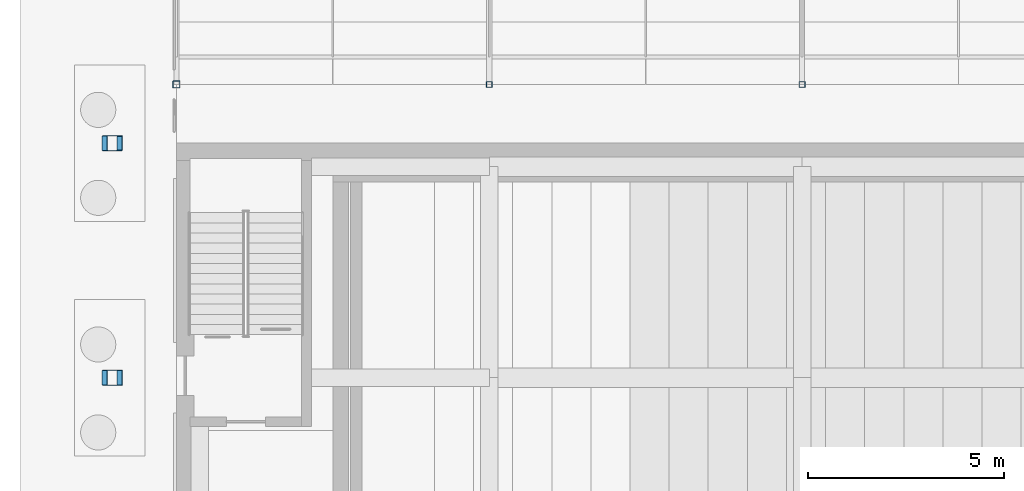
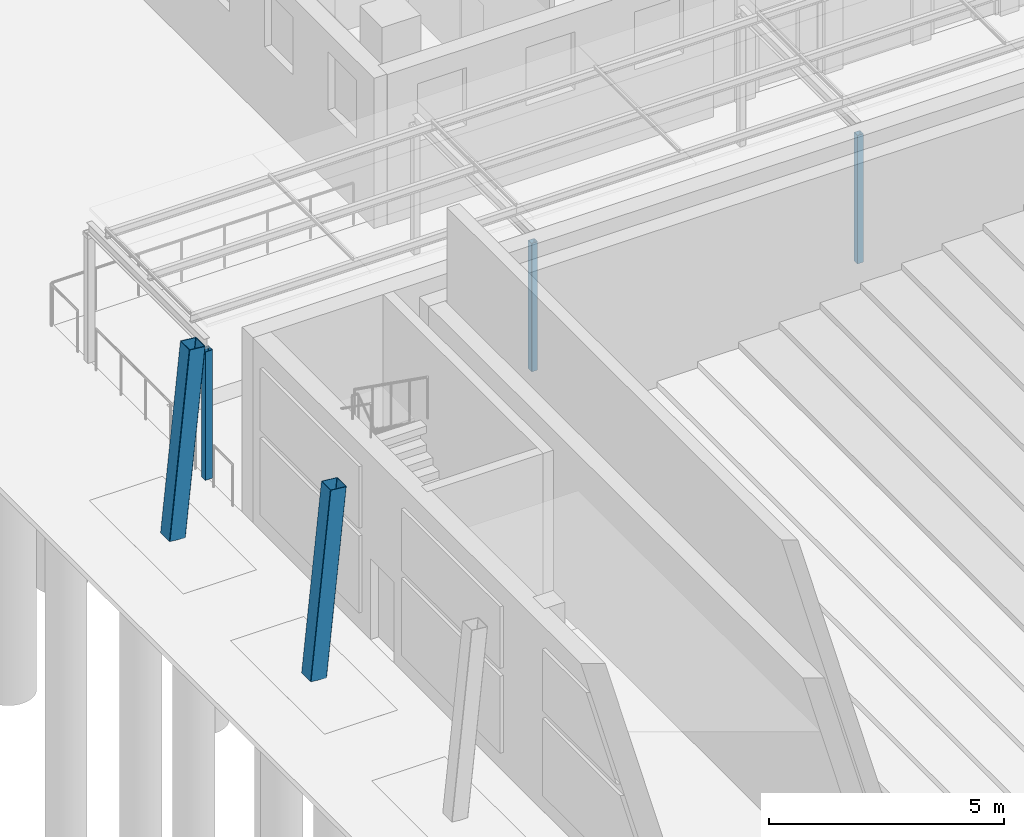
# One storey, part 5 of 144: 5 columns.
"""IFC4 building model written with IfcOpenShell, lengths in metres."""

from ifc_helpers import new_model, si_unit, direction, frame, origin, origin_2d, place, context, subcontext, project, spatial, hollow_rectangle, extrude, material, material_profile, profile_set, type_object, element, save


model = new_model("IFC4")

# Units and contexts
model_context = context("Model", 3, precision=1e-05, world=origin(), true_north=direction((0.0, 1.0)))
body_context = subcontext(model_context, "Body", "Model", "MODEL_VIEW")
ifc_project = project(units=[si_unit("LENGTHUNIT", "METRE"), si_unit("AREAUNIT", "SQUARE_METRE"), si_unit("VOLUMEUNIT", "CUBIC_METRE"), si_unit("PLANEANGLEUNIT", "RADIAN"), si_unit("MASSUNIT", "GRAM", prefix="KILO")], contexts=[model_context])

# Site, building, storey
site_placement = place(None, origin())
site = spatial("IfcSite", under=ifc_project, at=site_placement, CompositionType="ELEMENT")
building_placement = place(site_placement, origin())
building = spatial("IfcBuilding", under=site, at=building_placement, Name="Lantern Court Media Centre", CompositionType="ELEMENT")
storey_placement = place(building_placement, origin())
storey = spatial("IfcBuildingStorey", under=building, at=storey_placement, Name="L00", CompositionType="ELEMENT", Elevation=0.0)

# Columns
ifc_material = material(Name="Steel S355J2 (EN 10025-2)", Category="steel")
ifc_material_profile_1 = material_profile(ifc_material, hollow_rectangle(XDim=0.39990234375, YDim=0.39990234375, WallThickness=0.012451171875, InnerFilletRadius=0.012451171875, OuterFilletRadius=0.018798828125, at=origin_2d()), Name="Cinema Hall buttress column SHS 400x12.5")
ifc_profile_set_1 = profile_set([ifc_material_profile_1], Name="Steel S355J2 (EN 10025-2)")
column_type_1 = type_object("IfcColumnType", Name="Cinema Hall buttress column SHS 400x12.5", PredefinedType="COLUMN", material=ifc_profile_set_1)
column_1_placement = place(storey_placement, frame((-1.699951171875, 34.0, 0.0), z_axis=(0.100901453218, 0.0, 0.994896425131), x_axis=(0.0, 1.0, 0.0)))
element("IfcColumn", 1, at=column_1_placement, inside=storey, type_object=column_type_1, Name="Cinema Hall buttress west 7", PredefinedType="COLUMN", context=body_context, shape_type="SweptSolid", body=[
    extrude(hollow_rectangle(XDim=0.39990234375, YDim=0.39990234375, WallThickness=0.012451171875, InnerFilletRadius=0.012451171875, OuterFilletRadius=0.018798828125, at=origin_2d()), origin(), (0.0, 0.0, 1.0), 4.82470703125),
])
ifc_material_profile_2 = material_profile(ifc_material, hollow_rectangle(XDim=0.39990234375, YDim=0.39990234375, WallThickness=0.01611328125, InnerFilletRadius=0.01611328125, OuterFilletRadius=0.02392578125, at=origin_2d()), Name="Cinema Hall gable buttress column SHS 400x16")
ifc_profile_set_2 = profile_set([ifc_material_profile_2], Name="Steel S355J2 (EN 10025-2)")
column_type_2 = type_object("IfcColumnType", Name="Cinema Hall gable buttress column SHS 400x16", PredefinedType="COLUMN", material=ifc_profile_set_2)
column_2_placement = place(storey_placement, frame((-1.699951171875, 40.0, 0.0), z_axis=(0.100901453218, 0.0, 0.994896425131), x_axis=(0.0, 1.0, 0.0)))
element("IfcColumn", 2, at=column_2_placement, inside=storey, type_object=column_type_2, Name="Cinema Hall buttress west 8", PredefinedType="COLUMN", context=body_context, shape_type="SweptSolid", body=[
    extrude(hollow_rectangle(XDim=0.39990234375, YDim=0.39990234375, WallThickness=0.01611328125, InnerFilletRadius=0.01611328125, OuterFilletRadius=0.02392578125, at=origin_2d()), origin(), (0.0, 0.0, 1.0), 4.82470703125),
])
ifc_material_profile_3 = material_profile(ifc_material, hollow_rectangle(XDim=0.179931640625, YDim=0.179931640625, WallThickness=0.008056640625, InnerFilletRadius=0.008056640625, OuterFilletRadius=0.011962890625, at=origin_2d()), Name="Cloister canopy end post SHS 180x8")
ifc_profile_set_3 = profile_set([ifc_material_profile_3], Name="Steel S355J2 (EN 10025-2)")
column_type_3 = type_object("IfcColumnType", Name="Cloister canopy end post SHS 180x8", PredefinedType="COLUMN", material=ifc_profile_set_3)
column_3_placement = place(storey_placement, frame((0.0, 41.5, 0.0), z_axis=(0.0, 0.0, 1.0), x_axis=(1.0, 0.0, 0.0)))
element("IfcColumn", 3, at=column_3_placement, inside=storey, type_object=column_type_3, Name="Cloister post 1-1-1", PredefinedType="COLUMN", context=body_context, shape_type="SweptSolid", body=[
    extrude(hollow_rectangle(XDim=0.179931640625, YDim=0.179931640625, WallThickness=0.008056640625, InnerFilletRadius=0.008056640625, OuterFilletRadius=0.011962890625, at=origin_2d()), origin(), (0.0, 0.0, 1.0), 3.330078125),
])
ifc_material_profile_4 = material_profile(ifc_material, hollow_rectangle(XDim=0.14990234375, YDim=0.14990234375, WallThickness=0.00634765625, InnerFilletRadius=0.00634765625, OuterFilletRadius=0.009521484375, at=origin_2d()), Name="Cloister canopy post SHS 150x6.3")
ifc_profile_set_4 = profile_set([ifc_material_profile_4], Name="Steel S355J2 (EN 10025-2)")
column_type_4 = type_object("IfcColumnType", Name="Cloister canopy post SHS 150x6.3", PredefinedType="COLUMN", material=ifc_profile_set_4)
for number, where, z_axis, x_axis, name in (
    (4, (8.0, 41.5, 0.0), (0.0, 0.0, 1.0), (1.0, 0.0, 0.0), "Cloister post 1-2-1"),
    (5, (16.0, 41.5, 0.0), (0.0, 0.0, 1.0), (1.0, 0.0, 0.0), "Cloister post 1-3-1"),
):
    element("IfcColumn", number, at=place(storey_placement, frame(where, z_axis=z_axis, x_axis=x_axis)), inside=storey, type_object=column_type_4, Name=name, PredefinedType="COLUMN", context=body_context, shape_type="SweptSolid", body=[
        extrude(hollow_rectangle(XDim=0.14990234375, YDim=0.14990234375, WallThickness=0.00634765625, InnerFilletRadius=0.00634765625, OuterFilletRadius=0.009521484375, at=origin_2d()), origin(), (0.0, 0.0, 1.0), 3.330078125),
    ])

save(model, "model.ifc")
